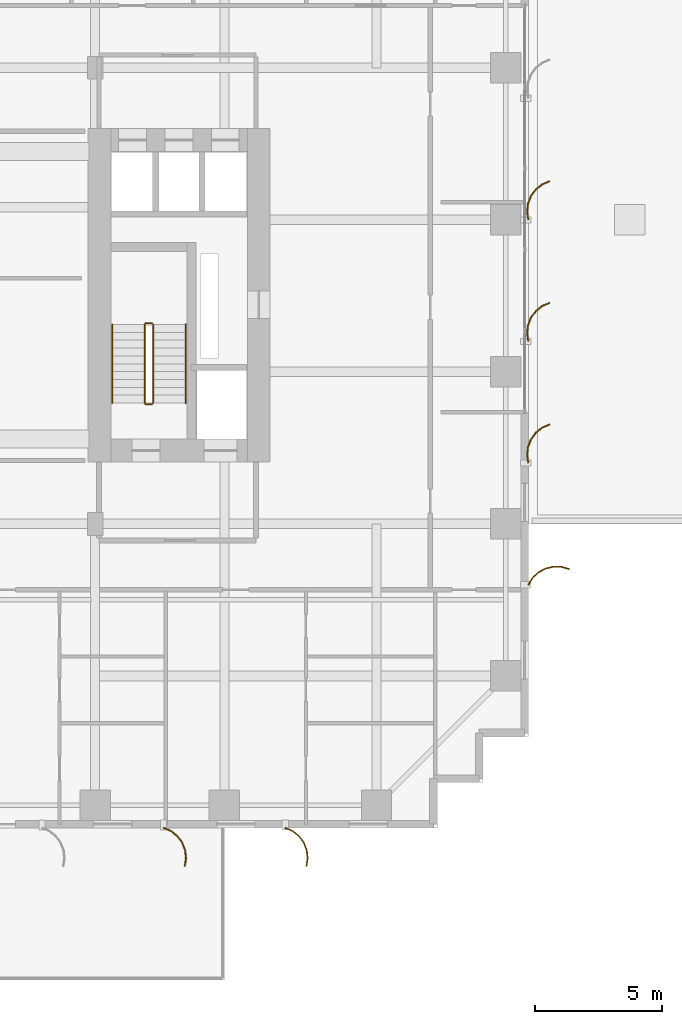
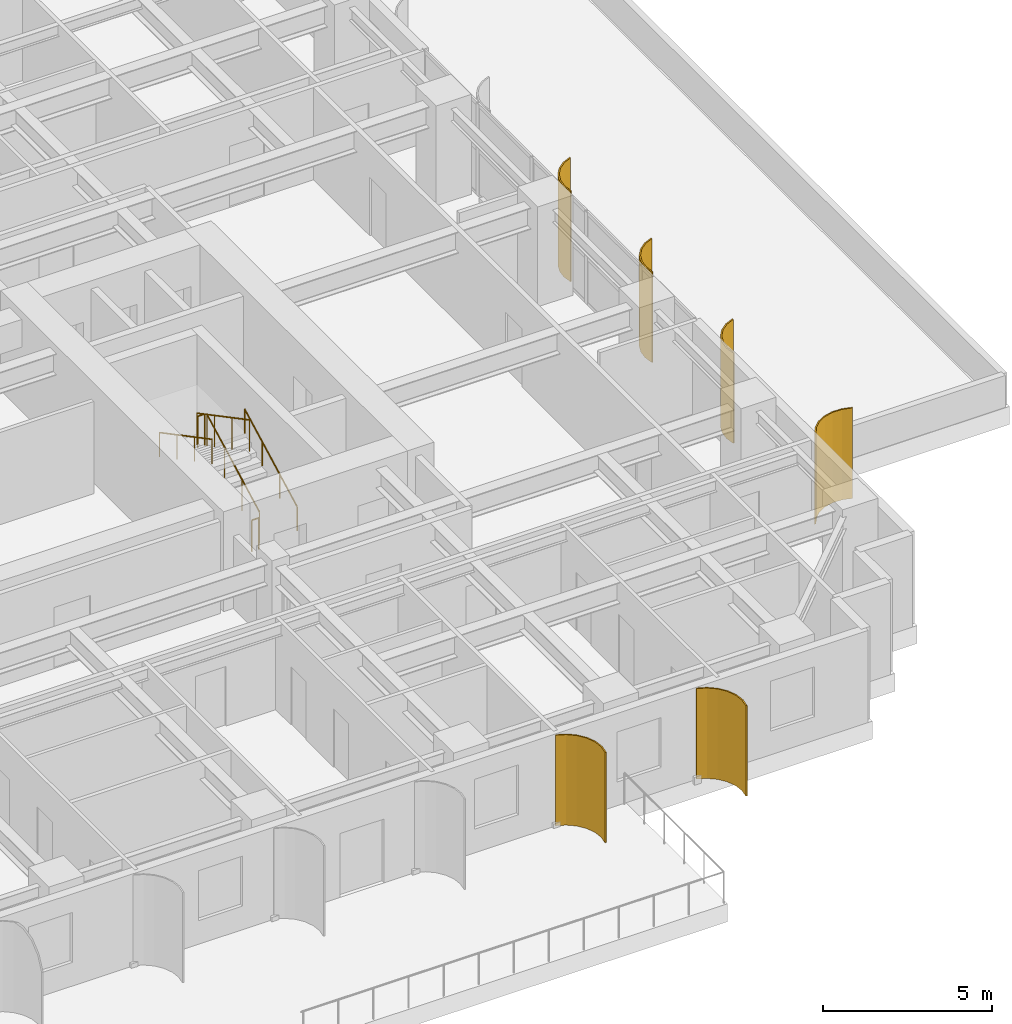
# One storey, part 20 of 21: 6 railings, 6 shading devices.
"""IFC4 building model written with IfcOpenShell, lengths in metres."""

from ifc_helpers import new_model, si_unit, direction, frame, origin, origin_2d, place, context, subcontext, project, spatial, polyline, circle, outline, extrude, source, transform, mapped, material, layer, layer_set, type_object, element, save


model = new_model("IFC4")

# Units and contexts
model_context = context("Model", 3, precision=1e-05, world=origin(), true_north=direction((0.0, 1.0)))
body_context = subcontext(model_context, "Body", "Model", "MODEL_VIEW")
ifc_project = project(units=[si_unit("LENGTHUNIT", "METRE"), si_unit("AREAUNIT", "SQUARE_METRE"), si_unit("VOLUMEUNIT", "CUBIC_METRE"), si_unit("PLANEANGLEUNIT", "RADIAN"), si_unit("MASSUNIT", "GRAM", prefix="KILO")], contexts=[model_context])

# Site, building, storey
site_placement = place(None, origin())
site = spatial("IfcSite", under=ifc_project, at=site_placement, CompositionType="ELEMENT")
building_placement = place(site_placement, origin())
building = spatial("IfcBuilding", under=site, at=building_placement, Name="Khoralis Quay Care Tower", CompositionType="ELEMENT")
storey_placement = place(building_placement, frame((0.0, 0.0, 22.5)))
storey = spatial("IfcBuildingStorey", under=building, at=storey_placement, Name="L05", CompositionType="ELEMENT", Elevation=22.5)

# Railings
ifc_material_1 = material(Name="Brushed stainless steel", Category="steel")
railing_type_1 = type_object("IfcRailingType", Name="RL-GUARD-1150", PredefinedType="GUARDRAIL", material=ifc_material_1)
railing_1_placement = place(storey_placement, frame((33.18994140625, 16.77001953125, 0.16357421875)))
element("IfcRailing", 1, at=railing_1_placement, inside=storey, type_object=railing_type_1, Name="L05 ST-T2 stair guard 1", PredefinedType="GUARDRAIL", context=body_context, shape_type="SweptSolid", body=[
    extrude(circle(Radius=0.02392578125, at=origin_2d()), frame((0.0, 0.0, 1.1259765625), z_axis=(0.0, 0.884348015382, 0.466828220752), x_axis=(-1.0, 0.0, 0.0)), (0.0, 0.0, 1.0), 3.505615234375),
    extrude(circle(Radius=0.02099609375, at=origin_2d()), origin(), (0.0, 0.0, 1.0), 1.101806640625),
    extrude(circle(Radius=0.02099609375, at=origin_2d()), frame((0.0, 1.033447265625, 0.54541015625)), (0.0, 0.0, 1.0), 1.101806640625),
    extrude(circle(Radius=0.02099609375, at=origin_2d()), frame((0.0, 2.066650390625, 1.091064453125)), (0.0, 0.0, 1.0), 1.101806640625),
    extrude(circle(Radius=0.02099609375, at=origin_2d()), frame((0.0, 3.10009765625, 1.636474609375)), (0.0, 0.0, 1.0), 1.101806640625),
])
railing_2_placement = place(storey_placement, frame((33.139892578125, 19.919921875, 1.800048828125)))
element("IfcRailing", 2, at=railing_2_placement, inside=storey, type_object=railing_type_1, Name="L05 ST-T2 stair guard 2", PredefinedType="GUARDRAIL", context=body_context, shape_type="SweptSolid", body=[
    extrude(circle(Radius=0.02392578125, at=origin_2d()), frame((0.0, 0.0, 1.1259765625), z_axis=(-1.0, 0.0, 0.0), x_axis=(0.0, -1.0, 0.0)), (0.0, 0.0, 1.0), 0.239990234375),
    extrude(circle(Radius=0.02099609375, at=origin_2d()), origin(), (0.0, 0.0, 1.0), 1.101806640625),
    extrude(circle(Radius=0.02099609375, at=origin_2d()), frame((-0.239990234375, 0.0, 0.0)), (0.0, 0.0, 1.0), 1.101806640625),
])
railing_3_placement = place(storey_placement, frame((32.85009765625, 19.8701171875, 1.963623046875)))
element("IfcRailing", 3, at=railing_3_placement, inside=storey, type_object=railing_type_1, Name="L05 ST-T2 stair guard 3", PredefinedType="GUARDRAIL", context=body_context, shape_type="SweptSolid", body=[
    extrude(circle(Radius=0.02392578125, at=origin_2d()), frame((0.0, 0.0, 1.1259765625), z_axis=(0.0, -0.884348015382, 0.466828220752), x_axis=(1.0, 0.0, 0.0)), (0.0, 0.0, 1.0), 3.505615234375),
    extrude(circle(Radius=0.02099609375, at=origin_2d()), origin(), (0.0, 0.0, 1.0), 1.101806640625),
    extrude(circle(Radius=0.02099609375, at=origin_2d()), frame((0.0, -1.033447265625, 0.54541015625)), (0.0, 0.0, 1.0), 1.101806640625),
    extrude(circle(Radius=0.02099609375, at=origin_2d()), frame((0.0, -2.066650390625, 1.091064453125)), (0.0, 0.0, 1.0), 1.101806640625),
    extrude(circle(Radius=0.02099609375, at=origin_2d()), frame((0.0, -3.10009765625, 1.636474609375)), (0.0, 0.0, 1.0), 1.101806640625),
])
railing_4_placement = place(storey_placement, frame((33.139892578125, 16.719970703125, 0.0)))
element("IfcRailing", 4, at=railing_4_placement, inside=storey, type_object=railing_type_1, Name="L05 ST-T2 stair guard 4", PredefinedType="GUARDRAIL", context=body_context, shape_type="SweptSolid", body=[
    extrude(circle(Radius=0.02392578125, at=origin_2d()), frame((0.0, 0.0, 1.1259765625), z_axis=(-1.0, 0.0, 0.0), x_axis=(0.0, -1.0, 0.0)), (0.0, 0.0, 1.0), 0.239990234375),
    extrude(circle(Radius=0.02099609375, at=origin_2d()), origin(), (0.0, 0.0, 1.0), 1.101806640625),
    extrude(circle(Radius=0.02099609375, at=origin_2d()), frame((-0.239990234375, 0.0, 0.0)), (0.0, 0.0, 1.0), 1.101806640625),
])
railing_type_2 = type_object("IfcRailingType", Name="RL-HAND-900", PredefinedType="HANDRAIL", material=ifc_material_1)
railing_5_placement = place(storey_placement, frame((34.469970703125, 16.77001953125, 0.16357421875)))
element("IfcRailing", 5, at=railing_5_placement, inside=storey, type_object=railing_type_2, Name="L05 ST-T2 stair handrail 1", PredefinedType="HANDRAIL", context=body_context, shape_type="SweptSolid", body=[
    extrude(circle(Radius=0.02392578125, at=origin_2d()), frame((0.0, 0.0, 0.8759765625), z_axis=(0.0, 0.884348015382, 0.466828220752), x_axis=(-1.0, 0.0, 0.0)), (0.0, 0.0, 1.0), 3.505615234375),
    extrude(circle(Radius=0.02099609375, at=origin_2d()), origin(), (0.0, 0.0, 1.0), 0.851806640625),
    extrude(circle(Radius=0.02099609375, at=origin_2d()), frame((0.0, 1.033447265625, 0.54541015625)), (0.0, 0.0, 1.0), 0.851806640625),
    extrude(circle(Radius=0.02099609375, at=origin_2d()), frame((0.0, 2.066650390625, 1.091064453125)), (0.0, 0.0, 1.0), 0.851806640625),
    extrude(circle(Radius=0.02099609375, at=origin_2d()), frame((0.0, 3.10009765625, 1.636474609375)), (0.0, 0.0, 1.0), 0.851806640625),
])
railing_6_placement = place(storey_placement, frame((31.570068359375, 19.8701171875, 1.963623046875)))
element("IfcRailing", 6, at=railing_6_placement, inside=storey, type_object=railing_type_2, Name="L05 ST-T2 stair handrail 2", PredefinedType="HANDRAIL", context=body_context, shape_type="SweptSolid", body=[
    extrude(circle(Radius=0.02392578125, at=origin_2d()), frame((0.0, 0.0, 0.8759765625), z_axis=(0.0, -0.884348015382, 0.466828220752), x_axis=(1.0, 0.0, 0.0)), (0.0, 0.0, 1.0), 3.505615234375),
    extrude(circle(Radius=0.02099609375, at=origin_2d()), origin(), (0.0, 0.0, 1.0), 0.851806640625),
    extrude(circle(Radius=0.02099609375, at=origin_2d()), frame((0.0, -1.033447265625, 0.54541015625)), (0.0, 0.0, 1.0), 0.851806640625),
    extrude(circle(Radius=0.02099609375, at=origin_2d()), frame((0.0, -2.066650390625, 1.091064453125)), (0.0, 0.0, 1.0), 0.851806640625),
    extrude(circle(Radius=0.02099609375, at=origin_2d()), frame((0.0, -3.10009765625, 1.636474609375)), (0.0, 0.0, 1.0), 0.851806640625),
])

# Shading devices
ifc_material_2 = material(Name="Brushed pale anodised aluminium", Category="aluminium")
ifc_layer = layer(ifc_material_2, 0.044921875)
ifc_layer_set = layer_set([ifc_layer], Name="Brushed pale anodised aluminium")
shading_device_type = type_object("IfcShadingDeviceType", Name="SHD-FIN-1250", PredefinedType="USERDEFINED", material=ifc_layer_set)
shared_shape_1 = source(origin(), body_context, "Body", "SweptSolid", [
    extrude(outline(polyline([(0.0, 0.0), (0.130126953125, 0.29931640625), (0.333251953125, 0.5546875), (0.595458984375, 0.748779296875), (0.899169921875, 0.868408203125), (1.223388671875, 0.9052734375), (1.546142578125, 0.85693359375), (1.53369140625, 0.813720703125), (1.22265625, 0.8603515625), (0.91015625, 0.82470703125), (0.617431640625, 0.70947265625), (0.364501953125, 0.522216796875), (0.168701171875, 0.276123046875), (0.043212890625, -0.012451171875), (0.0, 0.0)])), origin(), (0.0, 0.0, 1.0), 3.260009765625),
])
for number, where, z_axis, x_axis, name in (
    (7, (33.60009765625, 0.030029296875, 0.02001953125), (0.0, 0.0, 1.0), (0.0, -1.0, 0.0), "L05 Curved Solar Fin P1E0-06"),
    (8, (38.39990234375, 0.030029296875, 0.02001953125), (0.0, 0.0, 1.0), (0.0, -1.0, 0.0), "L05 Curved Solar Fin P1E0-07"),
):
    element("IfcShadingDevice", number, at=place(storey_placement, frame(where, z_axis=z_axis, x_axis=x_axis)), inside=storey, type_object=shading_device_type, Name=name, ObjectType="FIN", PredefinedType="USERDEFINED", context=body_context, shape_type="MappedRepresentation", body=[
        mapped(shared_shape_1, transform((0.0, 0.0, 0.0), scale=1.0)),
    ])
shared_shape_2 = source(origin(), body_context, "Body", "SweptSolid", [
    extrude(outline(polyline([(0.0, 0.0), (0.17041015625, 0.2783203125), (0.4072265625, 0.5029296875), (0.694091796875, 0.658447265625), (1.01123046875, 0.734619140625), (1.33740234375, 0.72607421875), (1.650390625, 0.633544921875), (1.632080078125, 0.59228515625), (1.330322265625, 0.681640625), (1.015869140625, 0.68994140625), (0.710205078125, 0.616455078125), (0.43359375, 0.466552734375), (0.20556640625, 0.25), (0.041015625, -0.018310546875), (0.0, 0.0)])), origin(), (0.0, 0.0, 1.0), 3.260009765625),
])
shading_device_placement = place(storey_placement, frame((47.969970703125, 9.60009765625, 0.02001953125), z_axis=(0.0, 0.0, 1.0), x_axis=(1.0, 0.0, 0.0)))
element("IfcShadingDevice", 9, at=shading_device_placement, inside=storey, type_object=shading_device_type, Name="L05 Curved Solar Fin P1E5-01", ObjectType="FIN", PredefinedType="USERDEFINED", context=body_context, shape_type="MappedRepresentation", body=[
    mapped(shared_shape_2, transform((0.0, 0.0, 0.0), scale=1.0)),
])
shared_shape_3 = source(origin(), body_context, "Body", "SweptSolid", [
    extrude(outline(polyline([(0.0, 0.0), (-0.04833984375, 0.32275390625), (-0.01123046875, 0.64697265625), (0.1083984375, 0.950439453125), (0.302490234375, 1.212890625), (0.557861328125, 1.416015625), (0.85693359375, 1.546142578125), (0.869384765625, 1.5029296875), (0.5810546875, 1.37744140625), (0.334716796875, 1.181640625), (0.147705078125, 0.9287109375), (0.032470703125, 0.635986328125), (-0.003173828125, 0.323486328125), (0.043212890625, 0.012451171875), (0.0, 0.0)])), origin(), (0.0, 0.0, 1.0), 3.260009765625),
])
for number, where, z_axis, x_axis, name in (
    (10, (47.969970703125, 14.39990234375, 0.02001953125), (0.0, 0.0, 1.0), (1.0, 0.0, 0.0), "L05 Curved Solar Fin P1E5-02"),
    (11, (47.969970703125, 19.199951171875, 0.02001953125), (0.0, 0.0, 1.0), (1.0, 0.0, 0.0), "L05 Curved Solar Fin P1E5-03"),
    (12, (47.969970703125, 24.0, 0.02001953125), (0.0, 0.0, 1.0), (1.0, 0.0, 0.0), "L05 Curved Solar Fin P1E5-04"),
):
    element("IfcShadingDevice", number, at=place(storey_placement, frame(where, z_axis=z_axis, x_axis=x_axis)), inside=storey, type_object=shading_device_type, Name=name, ObjectType="FIN", PredefinedType="USERDEFINED", context=body_context, shape_type="MappedRepresentation", body=[
        mapped(shared_shape_3, transform((0.0, 0.0, 0.0), scale=1.0)),
    ])

save(model, "model.ifc")
